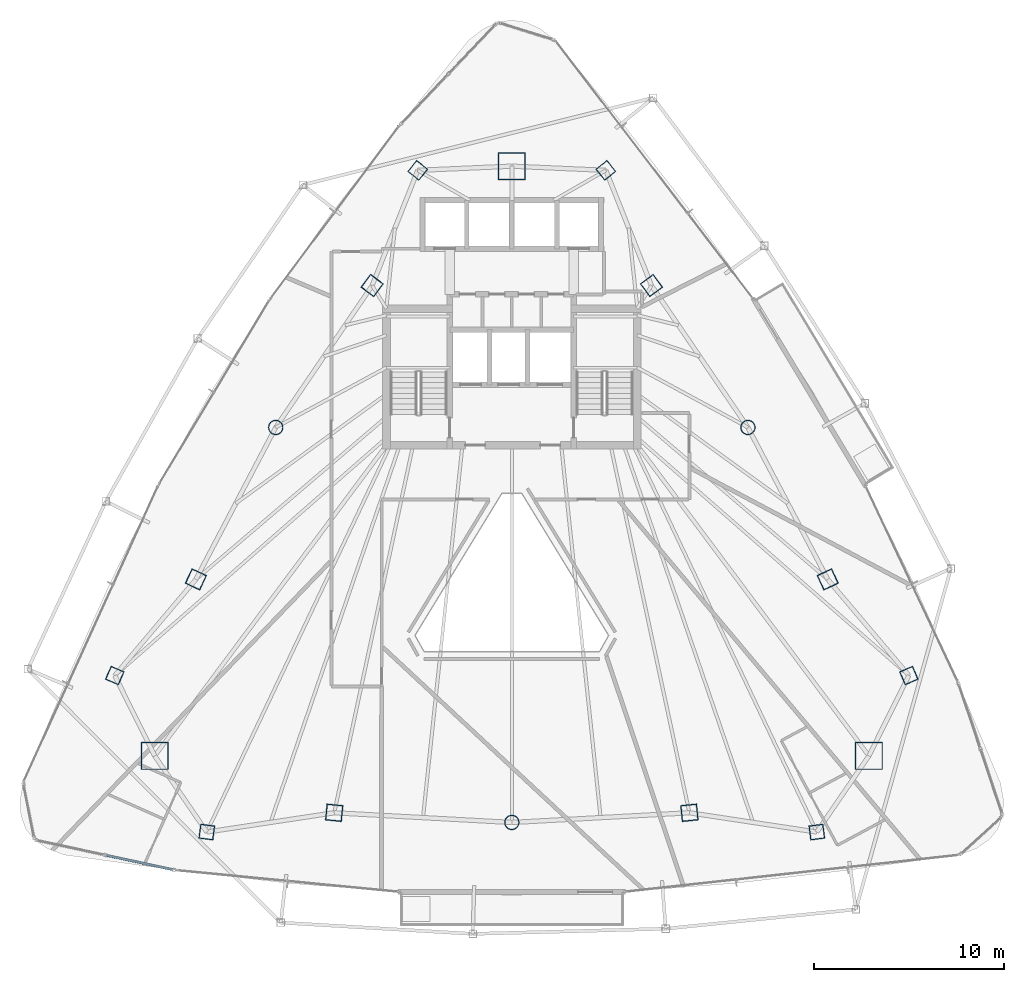
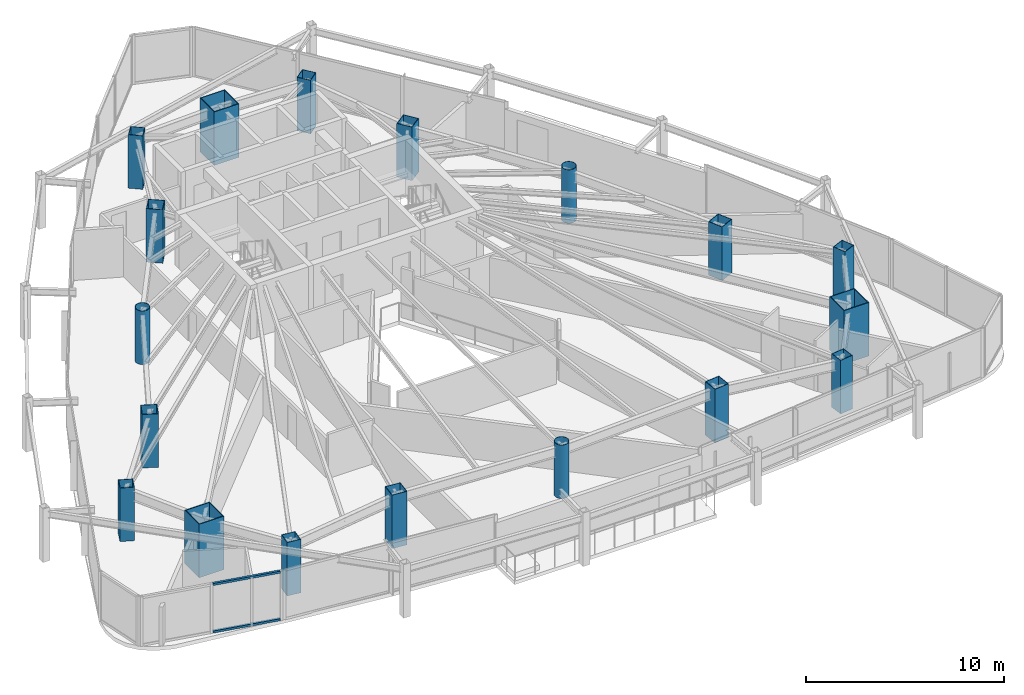
# One storey, part 1 of 31: 18 columns, 2 members, 1 element without a shape of its own.
"""IFC4 building model written with IfcOpenShell, lengths in metres."""

import ifcopenshell
import ifcopenshell.guid

model = None  # the IFC model being written
_history = None  # IfcOwnerHistory: only IFC2X3 demands one
_inside = {}  # id of a spatial element -> (the spatial element, [elements in it])
_under = {}  # id of a project, library or spatial element -> (it, [spatial elements below it])
_declared = {}  # id of a project -> (the project, [libraries it declares])
_typed = {}  # id of a type object -> (the type object, [elements of that type])
_made_of = {}  # id of a material, layer set ... -> (it, [elements and type objects made of it])


def new_model(schema):
    """Start an empty IFC model of exactly this schema.

    Asked for "IFC4X3", IfcOpenShell would pick the latest addendum, in which some entities
    have other attributes; the version numbers below select the first issue.
    IFC2X3 requires an IfcOwnerHistory on every rooted entity: one is made here for all.
    """
    global model, _history
    if schema == "IFC4X3":
        model = ifcopenshell.file(schema_version=(4, 3, 0, 0))
    else:
        model = ifcopenshell.file(schema=schema)
    _inside.clear()
    _under.clear()
    _declared.clear()
    _typed.clear()
    _made_of.clear()
    _history = None
    if model.schema == "IFC2X3":
        org = make("IfcOrganization", Name="unknown")
        user = make(
            "IfcPersonAndOrganization",
            ThePerson=make("IfcPerson", FamilyName="unknown"),
            TheOrganization=org,
        )
        app = make(
            "IfcApplication",
            ApplicationDeveloper=org,
            Version="unknown",
            ApplicationFullName="unknown",
            ApplicationIdentifier="unknown",
        )
        _history = make(
            "IfcOwnerHistory",
            OwningUser=user,
            OwningApplication=app,
            ChangeAction="ADDED",
            CreationDate=0,
        )
    return model


def make(cls, **values):
    """One entity of the class cls with the attributes given. An attribute that is None is left unset."""
    return model.create_entity(
        cls, **{name: value for name, value in values.items() if value is not None}
    )


def rooted(cls, **values):
    """An entity with a GlobalId (a new one), such as an element, a storey or a relation."""
    return make(cls, GlobalId=ifcopenshell.guid.new(), OwnerHistory=_history, **values)


def si_unit(unit_type, name, prefix=None):
    """IfcSIUnit, for example si_unit("LENGTHUNIT", "METRE", prefix="MILLI")."""
    return make("IfcSIUnit", UnitType=unit_type, Prefix=prefix, Name=name)


def assignment(units):
    """IfcUnitAssignment: the units of a project."""
    return None if units is None else make("IfcUnitAssignment", Units=units)


def point(xyz):
    """IfcCartesianPoint."""
    return None if xyz is None else make("IfcCartesianPoint", Coordinates=xyz)


def direction(xyz):
    """IfcDirection."""
    return None if xyz is None else make("IfcDirection", DirectionRatios=xyz)


def frame(location, z_axis=None, x_axis=None):
    """IfcAxis2Placement3D, a coordinate frame: its origin and axes. An axis left out is left unset."""
    return make(
        "IfcAxis2Placement3D",
        Location=point(location),
        Axis=direction(z_axis),
        RefDirection=direction(x_axis),
    )


def frame_2d(location, x_axis=None):
    """IfcAxis2Placement2D, a coordinate frame in the plane: its origin and x axis."""
    return make(
        "IfcAxis2Placement2D", Location=point(location), RefDirection=direction(x_axis)
    )


def origin():
    """The frame at (0, 0, 0) with its axes left unset."""
    return frame((0.0, 0.0, 0.0))


def origin_2d():
    """The frame at (0, 0) in the plane with its x axis left unset."""
    return frame_2d((0.0, 0.0))


def place(relative_to, where):
    """IfcLocalPlacement: puts the frame where relative to a parent placement (None: the world)."""
    return make(
        "IfcLocalPlacement", PlacementRelTo=relative_to, RelativePlacement=where
    )


def context(
    kind, dimensions, precision=None, world=None, true_north=None, identifier=None
):
    """IfcGeometricRepresentationContext, for example the 3D "Model" context."""
    return make(
        "IfcGeometricRepresentationContext",
        ContextIdentifier=identifier,
        ContextType=kind,
        CoordinateSpaceDimension=dimensions,
        Precision=precision,
        WorldCoordinateSystem=world,
        TrueNorth=true_north,
    )


def subcontext(parent, identifier, kind, view, scale=None):
    """IfcGeometricRepresentationSubContext, for example "Body" below "Model"."""
    return make(
        "IfcGeometricRepresentationSubContext",
        ContextIdentifier=identifier,
        ContextType=kind,
        ParentContext=parent,
        TargetScale=scale,
        TargetView=view,
    )


def project(units=None, contexts=None):
    """IfcProject with its units and contexts."""
    return rooted(
        "IfcProject",
        Name="project",
        RepresentationContexts=contexts,
        UnitsInContext=assignment(units),
    )


def spatial(cls, under=None, at=None, **own):
    """A site, building, storey or space (cls), placed at a placement, below another one or the project."""
    s = rooted(cls, ObjectPlacement=at, **own)
    if under is not None:
        _under.setdefault(under.id(), (under, []))[1].append(s)
    return s


def profile(cls, at=None, kind="AREA", **sizes):
    """A parametric profile (cls). Its sizes go by their IFC names, for example OverallWidth=200.0."""
    return make(cls, ProfileType=kind, Position=at, **sizes)


def hollow_rectangle(**sizes):
    """IfcRectangleHollowProfileDef."""
    return profile("IfcRectangleHollowProfileDef", **sizes)


def hollow_circle(**sizes):
    """IfcCircleHollowProfileDef."""
    return profile("IfcCircleHollowProfileDef", **sizes)


def extrude(swept, where, along, depth):
    """IfcExtrudedAreaSolid: the profile swept, set in the frame where, extruded along a direction by depth."""
    return make(
        "IfcExtrudedAreaSolid",
        SweptArea=swept,
        Position=where,
        ExtrudedDirection=direction(along),
        Depth=depth,
    )


def shape(context_of_items, identifier, shape_type, items):
    """IfcShapeRepresentation: the items that make up one representation, for example the "Body"."""
    return make(
        "IfcShapeRepresentation",
        ContextOfItems=context_of_items,
        RepresentationIdentifier=identifier,
        RepresentationType=shape_type,
        Items=items,
    )


def material(Name=None, Category=None):
    """IfcMaterial."""
    return make("IfcMaterial", Name=Name, Category=Category)


def layer(
    of_material, thickness, ventilated=None, Name=None, Category=None, Priority=None
):
    """IfcMaterialLayer: one layer of a wall or slab, of a material (None: an air gap)."""
    return make(
        "IfcMaterialLayer",
        Material=of_material,
        LayerThickness=thickness,
        IsVentilated=ventilated,
        Name=Name,
        Category=Category,
        Priority=Priority,
    )


def layer_set(layers, Name=None):
    """IfcMaterialLayerSet."""
    return make("IfcMaterialLayerSet", MaterialLayers=layers, LayerSetName=Name)


def material_profile(
    of_material, cross_section, Name=None, Category=None, Priority=None
):
    """IfcMaterialProfile: a cross section and its material."""
    return make(
        "IfcMaterialProfile",
        Name=Name,
        Material=of_material,
        Profile=cross_section,
        Priority=Priority,
        Category=Category,
    )


def profile_set(profiles, Name=None, composite=None):
    """IfcMaterialProfileSet."""
    return make(
        "IfcMaterialProfileSet",
        Name=Name,
        MaterialProfiles=profiles,
        CompositeProfile=composite,
    )


def made_of(thing, what):
    """Note that an element or type object is made of a material, layer set ...; save() writes the relation."""
    if what is not None:
        _made_of.setdefault(what.id(), (what, []))[1].append(thing)
    return thing


def type_object(cls, material=None, **own):
    """A type object (cls), such as IfcWallType, which elements share."""
    return made_of(rooted(cls, **own), material)


def element(
    cls,
    number,
    at=None,
    inside=None,
    cuts=None,
    type_object=None,
    material=None,
    context=None,
    identifier="Body",
    shape_type=None,
    held_by="IfcProductDefinitionShape",
    body=None,
    shapes=None,
    **own,
):
    """One element of the class cls, such as IfcWall. Its Tag is "e" and its number.

    at: its placement. inside: the storey or other place that contains it. cuts: it is an
    opening in that element (IfcRelVoidsElement). A single representation is given by context,
    identifier, shape_type and body (its items); several are given by shapes. held_by: the class
    of the entity that holds the representations. save() writes the other relations.
    """
    e = rooted(cls, Tag="e%d" % number, ObjectPlacement=at, **own)
    if body is not None:
        shapes = [shape(context, identifier, shape_type, body)]
    if shapes is not None:
        e.Representation = make(held_by, Representations=shapes)
    if inside is not None:
        _inside.setdefault(inside.id(), (inside, []))[1].append(e)
    if cuts is not None:
        rooted(
            "IfcRelVoidsElement", RelatingBuildingElement=cuts, RelatedOpeningElement=e
        )
    if type_object is not None:
        _typed.setdefault(type_object.id(), (type_object, []))[1].append(e)
    return made_of(e, material)


def aggregate(whole, parts):
    """IfcRelAggregates: a whole, such as a stair, and the parts it consists of."""
    return rooted("IfcRelAggregates", RelatingObject=whole, RelatedObjects=parts)


def save(model, path):
    """Write the relations noted so far, then the file.

    IfcRelAggregates (storeys below a building ...), IfcRelContainedInSpatialStructure (elements
    in a storey), IfcRelDefinesByType, IfcRelAssociatesMaterial and IfcRelDeclares: one each for
    every whole, place, type object, material and project.
    """
    for whole, parts in _under.values():
        aggregate(whole, parts)
    for where, things in _inside.values():
        rooted(
            "IfcRelContainedInSpatialStructure",
            RelatedElements=things,
            RelatingStructure=where,
        )
    for kind, things in _typed.values():
        rooted("IfcRelDefinesByType", RelatedObjects=things, RelatingType=kind)
    for what, things in _made_of.values():
        rooted("IfcRelAssociatesMaterial", RelatedObjects=things, RelatingMaterial=what)
    for by, libraries in _declared.values():
        rooted("IfcRelDeclares", RelatingContext=by, RelatedDefinitions=libraries)
    model.write(path)


model = new_model("IFC4")

# Units and contexts
model_context = context("Model", 3, precision=1e-05, world=origin(), true_north=direction((0.0, 1.0)))
body_context = subcontext(model_context, "Body", "Model", "MODEL_VIEW")
ifc_project = project(units=[si_unit("LENGTHUNIT", "METRE"), si_unit("AREAUNIT", "SQUARE_METRE"), si_unit("VOLUMEUNIT", "CUBIC_METRE"), si_unit("PLANEANGLEUNIT", "RADIAN"), si_unit("MASSUNIT", "GRAM", prefix="KILO")], contexts=[model_context])

# Site, building, storey
site_placement = place(None, origin())
site = spatial("IfcSite", under=ifc_project, at=site_placement, CompositionType="ELEMENT")
building_placement = place(site_placement, origin())
building = spatial("IfcBuilding", under=site, at=building_placement, Name="Orvanel Arch Residences", CompositionType="ELEMENT")
storey_placement = place(building_placement, frame((0.0, 0.0, 129.800048828125)))
storey = spatial("IfcBuildingStorey", under=building, at=storey_placement, Name="L36", CompositionType="ELEMENT", Elevation=129.800048828125)

# Columns
ifc_material_1 = material(Name="Structural steel AS/NZS 1163 C450L0 (Grade 450)", Category="steel")
ifc_material_profile_1 = material_profile(ifc_material_1, hollow_circle(Radius=0.381103515625, WallThickness=0.02197265625, at=origin_2d()), Name="CHS762x22")
ifc_profile_set_1 = profile_set([ifc_material_profile_1], Name="Structural steel AS/NZS 1163 C450L0 (Grade 450)")
column_type_1 = type_object("IfcColumnType", Name="CC-762", PredefinedType="COLUMN", material=ifc_profile_set_1)
for number, where, z_axis, x_axis, name in (
    (1, (20.569091796875, 27.64111328125, 0.0), (0.0, 0.0, 1.0), (1.0, 0.0, 0.0), "L36 High-Rise Tube Column 02"),
    (2, (33.0, 6.843994140625, 0.0), (0.0, 0.0, 1.0), (1.0, 0.0, 0.0), "L36 High-Rise Tube Column 05"),
    (3, (45.430908203125, 27.64111328125, 0.0), (0.0, 0.0, 1.0), (1.0, 0.0, 0.0), "L36 High-Rise Tube Column 08"),
):
    element("IfcColumn", number, at=place(storey_placement, frame(where, z_axis=z_axis, x_axis=x_axis)), inside=storey, type_object=column_type_1, Name=name, PredefinedType="COLUMN", context=body_context, shape_type="SweptSolid", body=[
        extrude(hollow_circle(Radius=0.381103515625, WallThickness=0.02197265625, at=origin_2d()), origin(), (0.0, 0.0, 1.0), 3.300048828125),
    ])
ifc_material_2 = material(Name="Structural steel AS/NZS 3678 Grade 450", Category="steel")
ifc_material_profile_2 = material_profile(ifc_material_2, hollow_rectangle(XDim=1.449951171875, YDim=1.449951171875, WallThickness=0.044921875, at=origin_2d()), Name="BOX1450x1450x45")
ifc_profile_set_2 = profile_set([ifc_material_profile_2], Name="Structural steel AS/NZS 3678 Grade 450")
column_type_2 = type_object("IfcColumnType", Name="MC-1450", PredefinedType="COLUMN", material=ifc_profile_set_2)
for number, where, z_axis, x_axis, name in (
    (4, (33.0, 41.39794921875, 0.0), (0.0, 0.0, 1.0), (1.0, 0.0, 0.0), "L36 Corner Mega-Column 1"),
    (5, (14.198974609375, 10.35107421875, 0.0), (0.0, 0.0, 1.0), (1.0, 0.0, 0.0), "L36 Corner Mega-Column 2"),
    (6, (51.801025390625, 10.35107421875, 0.0), (0.0, 0.0, 1.0), (1.0, 0.0, 0.0), "L36 Corner Mega-Column 3"),
):
    element("IfcColumn", number, at=place(storey_placement, frame(where, z_axis=z_axis, x_axis=x_axis)), inside=storey, type_object=column_type_2, Name=name, PredefinedType="COLUMN", context=body_context, shape_type="SweptSolid", body=[
        extrude(hollow_rectangle(XDim=1.449951171875, YDim=1.449951171875, WallThickness=0.044921875, at=origin_2d()), origin(), (0.0, 0.0, 1.0), 3.300048828125),
    ])
ifc_material_3 = material(Name="Structural steel AS/NZS 3678 Grade 350", Category="steel")
ifc_material_profile_3 = material_profile(ifc_material_3, hollow_rectangle(XDim=0.75, YDim=0.75, WallThickness=0.02490234375, at=origin_2d()), Name="BOX750x750x25")
ifc_profile_set_3 = profile_set([ifc_material_profile_3], Name="Structural steel AS/NZS 3678 Grade 350")
column_type_3 = type_object("IfcColumnType", Name="TC-750", PredefinedType="COLUMN", material=ifc_profile_set_3)
for number, where, z_axis, x_axis, name in (
    (7, (28.050048828125, 41.177978515625, 0.0), (0.0, 0.0, 1.0), (0.623879596709, 0.781520472419, 0.0), "L36 Mid-Rise Buttress Tube Column 01"),
    (8, (12.094970703125, 14.580078125, 0.0), (0.0, 0.0, 1.0), (0.397147890635, 0.917754625684, 0.0), "L36 Mid-Rise Buttress Tube Column 02"),
    (9, (16.94091796875, 6.339111328125, 0.0), (0.0, 0.0, 1.0), (-0.99189444259, 0.127064608601, 0.0), "L36 Mid-Rise Buttress Tube Column 03"),
    (10, (49.05908203125, 6.339111328125, 0.0), (0.0, 0.0, 1.0), (0.99189444259, 0.127064608601, 0.0), "L36 Mid-Rise Buttress Tube Column 04"),
    (11, (53.905029296875, 14.580078125, 0.0), (0.0, 0.0, 1.0), (-0.397147890635, 0.917754625684, 0.0), "L36 Mid-Rise Buttress Tube Column 05"),
    (12, (37.949951171875, 41.177978515625, 0.0), (0.0, 0.0, 1.0), (-0.623879596709, 0.781520472419, 0.0), "L36 Mid-Rise Buttress Tube Column 06"),
):
    element("IfcColumn", number, at=place(storey_placement, frame(where, z_axis=z_axis, x_axis=x_axis)), inside=storey, type_object=column_type_3, Name=name, PredefinedType="COLUMN", context=body_context, shape_type="SweptSolid", body=[
        extrude(hollow_rectangle(XDim=0.75, YDim=0.75, WallThickness=0.02490234375, at=origin_2d()), origin(), (0.0, 0.0, 1.0), 3.300048828125),
    ])
ifc_material_profile_4 = material_profile(ifc_material_3, hollow_rectangle(XDim=0.85009765625, YDim=0.85009765625, WallThickness=0.028076171875, at=origin_2d()), Name="BOX850x850x28")
ifc_profile_set_4 = profile_set([ifc_material_profile_4], Name="Structural steel AS/NZS 3678 Grade 350")
column_type_4 = type_object("IfcColumnType", Name="TC-850", PredefinedType="COLUMN", material=ifc_profile_set_4)
for number, where, z_axis, x_axis, name in (
    (13, (25.64794921875, 35.113037109375, 0.0), (0.0, 0.0, 1.0), (0.600420225326, 0.799684658487, 0.0), "L36 High-Rise Tube Column 01"),
    (14, (16.366943359375, 19.64208984375, 0.0), (0.0, 0.0, 1.0), (0.422618261741, 0.906307787037, 0.0), "L36 High-Rise Tube Column 03"),
    (15, (23.64892578125, 7.35498046875, 0.0), (0.0, 0.0, 1.0), (-0.994880708829, 0.101056297183, 0.0), "L36 High-Rise Tube Column 04"),
    (16, (42.35107421875, 7.35498046875, 0.0), (0.0, 0.0, 1.0), (0.994880708829, 0.101056297183, 0.0), "L36 High-Rise Tube Column 06"),
    (17, (49.633056640625, 19.64208984375, 0.0), (0.0, 0.0, 1.0), (-0.422618261741, 0.906307787037, 0.0), "L36 High-Rise Tube Column 07"),
    (18, (40.35205078125, 35.113037109375, 0.0), (0.0, 0.0, 1.0), (-0.600420225326, 0.799684658487, 0.0), "L36 High-Rise Tube Column 09"),
):
    element("IfcColumn", number, at=place(storey_placement, frame(where, z_axis=z_axis, x_axis=x_axis)), inside=storey, type_object=column_type_4, Name=name, PredefinedType="COLUMN", context=body_context, shape_type="SweptSolid", body=[
        extrude(hollow_rectangle(XDim=0.85009765625, YDim=0.85009765625, WallThickness=0.028076171875, at=origin_2d()), origin(), (0.0, 0.0, 1.0), 3.300048828125),
    ])

# Curtain wall, members
ifc_material_4 = material(Name="Bronze-anodised aluminium AA6063-T6", Category="aluminium")
ifc_layer = layer(ifc_material_4, 0.18994140625)
ifc_layer_set = layer_set([ifc_layer], Name="Bronze-anodised aluminium AA6063-T6")
curtain_wall_type = type_object("IfcCurtainWallType", Name="CW5-CRN-SYS", PredefinedType="NOTDEFINED", material=ifc_layer_set)
curtain_wall_placement = place(storey_placement, origin())
curtain_wall = element("IfcCurtainWall", 19, at=curtain_wall_placement, inside=storey, type_object=curtain_wall_type, Name="L36 CW5-CRN-SYS Unitised Curtain Wall", PredefinedType="NOTDEFINED")
ifc_material_profile_5 = material_profile(ifc_material_4, hollow_rectangle(XDim=0.1298828125, YDim=0.1298828125, WallThickness=0.00439453125, at=origin_2d()), Name="ALU130x130x4.5")
ifc_profile_set_5 = profile_set([ifc_material_profile_5], Name="Bronze-anodised aluminium AA6063-T6")
member_type = type_object("IfcMemberType", Name="TRN-130x130", PredefinedType="USERDEFINED", material=ifc_profile_set_5)
member_1_placement = place(storey_placement, frame((11.665771484375, 5.1123046875, 0.06494140625), z_axis=(0.977614530448, -0.210403968253, 0.0), x_axis=(0.210403968253, 0.977614530448, 0.0)))
member_1 = element("IfcMember", 20, at=member_1_placement, type_object=member_type, Name="CW-S5 transom 2.1", ObjectType="TRANSOM", PredefinedType="USERDEFINED", context=body_context, shape_type="SweptSolid", body=[
    extrude(hollow_rectangle(XDim=0.1298828125, YDim=0.1298828125, WallThickness=0.00439453125, at=origin_2d()), origin(), (0.0, 0.0, 1.0), 3.5634765625),
])
member_2_placement = place(storey_placement, frame((11.665771484375, 5.1123046875, 2.994873046875), z_axis=(0.977614530448, -0.210403968253, 0.0), x_axis=(0.210403968253, 0.977614530448, 0.0)))
member_2 = element("IfcMember", 21, at=member_2_placement, type_object=member_type, Name="CW-S5 transom 2.2", ObjectType="TRANSOM", PredefinedType="USERDEFINED", context=body_context, shape_type="SweptSolid", body=[
    extrude(hollow_rectangle(XDim=0.1298828125, YDim=0.1298828125, WallThickness=0.00439453125, at=origin_2d()), origin(), (0.0, 0.0, 1.0), 3.5634765625),
])
aggregate(curtain_wall, [member_1, member_2])

save(model, "model.ifc")
